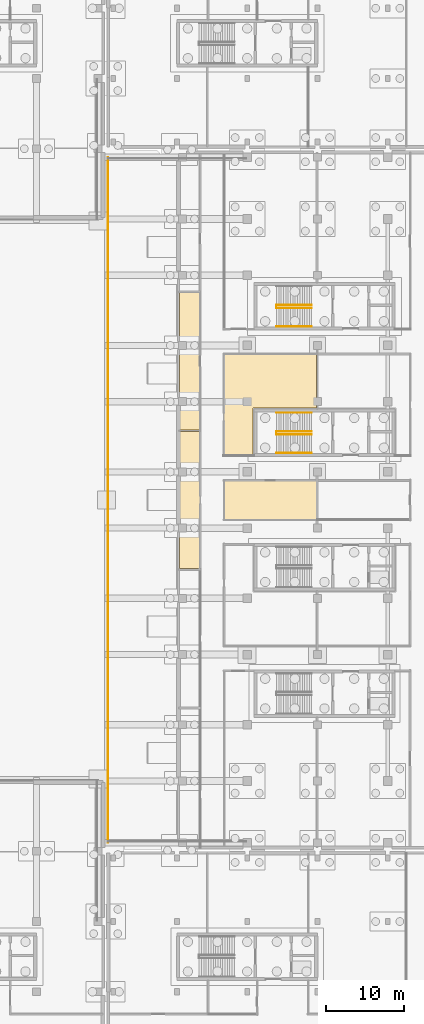
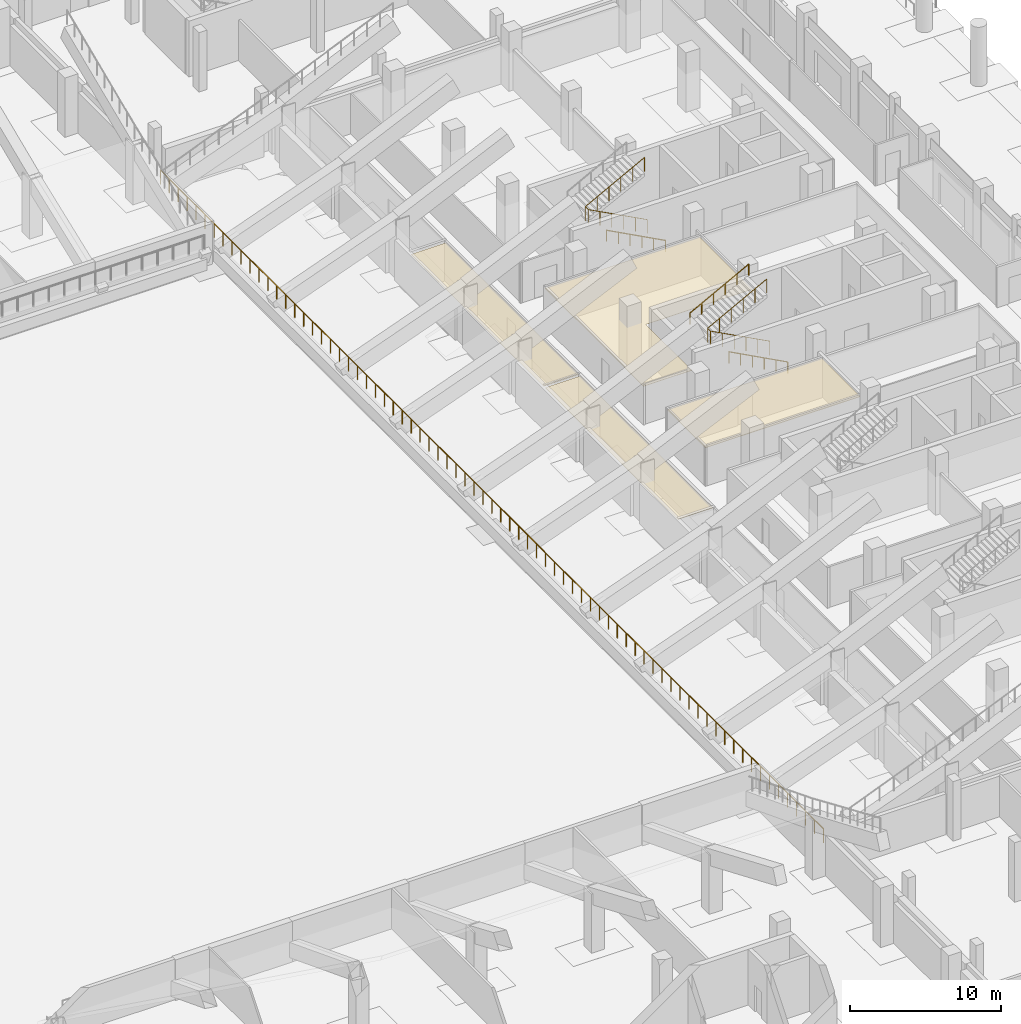
# One storey, part 49 of 53: 6 railings, 4 coverings.
"""IFC4 building model written with IfcOpenShell, lengths in metres."""

from ifc_helpers import new_model, si_unit, direction, frame, origin, origin_2d, place, context, subcontext, project, spatial, polyline, circle, outline, extrude, material, layer, layer_set, type_object, element, save


model = new_model("IFC4")

# Units and contexts
model_context = context("Model", 3, precision=1e-05, world=origin(), true_north=direction((0.0, 1.0)))
body_context = subcontext(model_context, "Body", "Model", "MODEL_VIEW")
ifc_project = project(units=[si_unit("LENGTHUNIT", "METRE"), si_unit("AREAUNIT", "SQUARE_METRE"), si_unit("VOLUMEUNIT", "CUBIC_METRE"), si_unit("PLANEANGLEUNIT", "RADIAN"), si_unit("MASSUNIT", "GRAM", prefix="KILO"), si_unit("THERMODYNAMICTEMPERATUREUNIT", "KELVIN"), si_unit("POWERUNIT", "WATT")], contexts=[model_context])

# Site, building, storey
site_placement = place(None, origin())
site = spatial("IfcSite", under=ifc_project, at=site_placement, CompositionType="ELEMENT")
building_placement = place(site_placement, origin())
building = spatial("IfcBuilding", under=site, at=building_placement, Name="Sindhuravela Promenade Stadium", CompositionType="ELEMENT")
storey_placement = place(building_placement, origin())
storey = spatial("IfcBuildingStorey", under=building, at=storey_placement, Name="L00", CompositionType="ELEMENT", Elevation=0.0)

# Coverings
ifc_material_1 = material(Name="Acoustic mineral-fibre ceiling tile", Category="gypsum")
ifc_layer_1 = layer(ifc_material_1, 0.02490234375)
ifc_layer_set_1 = layer_set([ifc_layer_1], Name="Acoustic mineral-fibre ceiling tile")
covering_type_1 = type_object("IfcCoveringType", Name="CV-CEIL-1", PredefinedType="CEILING", material=ifc_layer_set_1)
covering_1_placement = place(storey_placement, frame((0.0, 0.0, 3.050048828125)))
element("IfcCovering", 1, at=covering_1_placement, inside=storey, type_object=covering_type_1, Name="Acoustic ceiling Catering Receiving Kitchen", PredefinedType="CEILING", context=body_context, shape_type="SweptSolid", body=[
    extrude(outline(polyline([(177.0400390625, 86.669921875), (177.0380859375, 86.670166015625), (177.0361328125, 86.67041015625), (177.0341796875, 86.6708984375), (177.0322265625, 86.67138671875), (177.030517578125, 86.67236328125), (177.02880859375, 86.67333984375), (177.02734375, 86.674560546875), (177.02587890625, 86.67578125), (177.0244140625, 86.67724609375), (177.0234375, 86.678955078125), (177.0224609375, 86.6806640625), (177.021484375, 86.682373046875), (177.02099609375, 86.68408203125), (177.0205078125, 86.68603515625), (177.02001953125, 86.68798828125), (177.02001953125, 86.68994140625), (177.02001953125, 99.7099609375), (177.02001953125, 99.7119140625), (177.0205078125, 99.7138671875), (177.02099609375, 99.7158203125), (177.021484375, 99.7177734375), (177.0224609375, 99.719482421875), (177.0234375, 99.72119140625), (177.0244140625, 99.72265625), (177.02587890625, 99.72412109375), (177.02734375, 99.7255859375), (177.02880859375, 99.7265625), (177.030517578125, 99.7275390625), (177.0322265625, 99.728515625), (177.0341796875, 99.72900390625), (177.0361328125, 99.7294921875), (177.0380859375, 99.72998046875), (177.0400390625, 99.72998046875), (188.830078125, 99.72998046875), (188.83203125, 99.72998046875), (188.833984375, 99.7294921875), (188.835693359375, 99.72900390625), (188.837646484375, 99.728515625), (188.83935546875, 99.7275390625), (188.841064453125, 99.7265625), (188.8427734375, 99.7255859375), (188.843994140625, 99.72412109375), (188.845458984375, 99.72265625), (188.8466796875, 99.72119140625), (188.84765625, 99.719482421875), (188.848388671875, 99.7177734375), (188.84912109375, 99.7158203125), (188.849609375, 99.7138671875), (188.849853515625, 99.7119140625), (188.85009765625, 99.7099609375), (188.85009765625, 92.800048828125), (188.849853515625, 92.798095703125), (188.849609375, 92.796142578125), (188.84912109375, 92.794189453125), (188.848388671875, 92.792236328125), (188.84765625, 92.79052734375), (188.8466796875, 92.788818359375), (188.845458984375, 92.787353515625), (188.843994140625, 92.785888671875), (188.8427734375, 92.784423828125), (188.841064453125, 92.783447265625), (188.83935546875, 92.782470703125), (188.837646484375, 92.781494140625), (188.835693359375, 92.781005859375), (188.833984375, 92.780517578125), (188.83203125, 92.780029296875), (188.830078125, 92.780029296875), (180.719970703125, 92.780029296875), (180.719970703125, 86.68994140625), (180.719970703125, 86.68798828125), (180.719482421875, 86.68603515625), (180.718994140625, 86.68408203125), (180.718505859375, 86.682373046875), (180.717529296875, 86.6806640625), (180.716552734375, 86.678955078125), (180.715576171875, 86.67724609375), (180.714111328125, 86.67578125), (180.712646484375, 86.674560546875), (180.711181640625, 86.67333984375), (180.70947265625, 86.67236328125), (180.707763671875, 86.67138671875), (180.705810546875, 86.6708984375), (180.703857421875, 86.67041015625), (180.701904296875, 86.670166015625), (180.699951171875, 86.669921875), (177.0400390625, 86.669921875)])), origin(), (0.0, 0.0, 1.0), 0.02490234375),
])
covering_2_placement = place(storey_placement, frame((0.0, 0.0, 3.050048828125)))
element("IfcCovering", 2, at=covering_2_placement, inside=storey, type_object=covering_type_1, Name="Acoustic ceiling Catering Receiving Kitchen 6", PredefinedType="CEILING", context=body_context, shape_type="SweptSolid", body=[
    extrude(outline(polyline([(173.97998046875, 90.006103515625), (173.97998046875, 90.00390625), (173.9794921875, 90.002197265625), (173.97900390625, 90.000244140625), (173.978515625, 89.998291015625), (173.9775390625, 89.99658203125), (173.9765625, 89.994873046875), (173.9755859375, 89.993408203125), (173.97412109375, 89.991943359375), (173.97265625, 89.990478515625), (173.97119140625, 89.989501953125), (173.969482421875, 89.98828125), (173.9677734375, 89.987548828125), (173.9658203125, 89.98681640625), (173.9638671875, 89.986328125), (173.9619140625, 89.986083984375), (173.9599609375, 89.986083984375), (171.320068359375, 89.986083984375), (171.318115234375, 89.986083984375), (171.316162109375, 89.986328125), (171.314208984375, 89.98681640625), (171.312255859375, 89.987548828125), (171.310546875, 89.98828125), (171.308837890625, 89.989501953125), (171.307373046875, 89.990478515625), (171.305908203125, 89.991943359375), (171.304443359375, 89.993408203125), (171.303466796875, 89.994873046875), (171.302490234375, 89.99658203125), (171.301513671875, 89.998291015625), (171.30078125, 90.000244140625), (171.30029296875, 90.002197265625), (171.300048828125, 90.00390625), (171.300048828125, 90.006103515625), (171.300048828125, 107.5380859375), (171.300048828125, 107.5400390625), (171.30029296875, 107.5419921875), (171.30078125, 107.543701171875), (171.301513671875, 107.545654296875), (171.302490234375, 107.54736328125), (171.303466796875, 107.549072265625), (171.304443359375, 107.55078125), (171.305908203125, 107.552001953125), (171.307373046875, 107.553466796875), (171.308837890625, 107.5546875), (171.310546875, 107.5556640625), (171.312255859375, 107.556396484375), (171.314208984375, 107.55712890625), (171.316162109375, 107.5576171875), (171.318115234375, 107.557861328125), (171.320068359375, 107.55810546875), (173.9599609375, 107.55810546875), (173.9619140625, 107.557861328125), (173.9638671875, 107.5576171875), (173.9658203125, 107.55712890625), (173.9677734375, 107.556396484375), (173.969482421875, 107.5556640625), (173.97119140625, 107.5546875), (173.97265625, 107.553466796875), (173.97412109375, 107.552001953125), (173.9755859375, 107.55078125), (173.9765625, 107.549072265625), (173.9775390625, 107.54736328125), (173.978515625, 107.545654296875), (173.97900390625, 107.543701171875), (173.9794921875, 107.5419921875), (173.97998046875, 107.5400390625), (173.97998046875, 107.5380859375), (173.97998046875, 90.006103515625)])), origin(), (0.0, 0.0, 1.0), 0.02490234375),
])
covering_3_placement = place(storey_placement, frame((0.0, 0.0, 3.050048828125)))
element("IfcCovering", 3, at=covering_3_placement, inside=storey, type_object=covering_type_1, Name="Acoustic ceiling Accessible WC East L00 8", PredefinedType="CEILING", context=body_context, shape_type="SweptSolid", body=[
    extrude(outline(polyline([(173.97998046875, 72.23388671875), (173.97998046875, 72.23193359375), (173.9794921875, 72.22998046875), (173.97900390625, 72.228271484375), (173.978515625, 72.226318359375), (173.9775390625, 72.224609375), (173.9765625, 72.222900390625), (173.9755859375, 72.22119140625), (173.97412109375, 72.219970703125), (173.97265625, 72.218505859375), (173.97119140625, 72.21728515625), (173.969482421875, 72.21630859375), (173.9677734375, 72.215576171875), (173.9658203125, 72.21484375), (173.9638671875, 72.21435546875), (173.9619140625, 72.214111328125), (173.9599609375, 72.214111328125), (171.320068359375, 72.214111328125), (171.318115234375, 72.214111328125), (171.316162109375, 72.21435546875), (171.314208984375, 72.21484375), (171.312255859375, 72.215576171875), (171.310546875, 72.21630859375), (171.308837890625, 72.21728515625), (171.307373046875, 72.218505859375), (171.305908203125, 72.219970703125), (171.304443359375, 72.22119140625), (171.303466796875, 72.222900390625), (171.302490234375, 72.224609375), (171.301513671875, 72.226318359375), (171.30078125, 72.228271484375), (171.30029296875, 72.22998046875), (171.300048828125, 72.23193359375), (171.300048828125, 72.23388671875), (171.300048828125, 89.76611328125), (171.300048828125, 89.76806640625), (171.30029296875, 89.77001953125), (171.30078125, 89.771728515625), (171.301513671875, 89.773681640625), (171.302490234375, 89.775390625), (171.303466796875, 89.777099609375), (171.304443359375, 89.77880859375), (171.305908203125, 89.780029296875), (171.307373046875, 89.781494140625), (171.308837890625, 89.78271484375), (171.310546875, 89.78369140625), (171.312255859375, 89.784423828125), (171.314208984375, 89.78515625), (171.316162109375, 89.78564453125), (171.318115234375, 89.785888671875), (171.320068359375, 89.785888671875), (173.9599609375, 89.785888671875), (173.9619140625, 89.785888671875), (173.9638671875, 89.78564453125), (173.9658203125, 89.78515625), (173.9677734375, 89.784423828125), (173.969482421875, 89.78369140625), (173.97119140625, 89.78271484375), (173.97265625, 89.781494140625), (173.97412109375, 89.780029296875), (173.9755859375, 89.77880859375), (173.9765625, 89.777099609375), (173.9775390625, 89.775390625), (173.978515625, 89.773681640625), (173.97900390625, 89.771728515625), (173.9794921875, 89.77001953125), (173.97998046875, 89.76806640625), (173.97998046875, 89.76611328125), (173.97998046875, 72.23388671875)])), origin(), (0.0, 0.0, 1.0), 0.02490234375),
])
ifc_layer_2 = layer(ifc_material_1, 0.044921875)
ifc_layer_set_2 = layer_set([ifc_layer_2], Name="Acoustic mineral-fibre ceiling tile")
covering_type_2 = type_object("IfcCoveringType", Name="CV-CEIL-2", PredefinedType="CEILING", material=ifc_layer_set_2)
covering_4_placement = place(storey_placement, frame((0.0, 0.0, 3.050048828125)))
element("IfcCovering", 4, at=covering_4_placement, inside=storey, type_object=covering_type_2, Name="Acoustic ceiling Park Promenade Cafe 3", PredefinedType="CEILING", context=body_context, shape_type="SweptSolid", body=[
    extrude(outline(polyline([(177.02001953125, 83.510009765625), (177.02001953125, 83.511962890625), (177.0205078125, 83.513916015625), (177.02099609375, 83.515869140625), (177.021484375, 83.517578125), (177.0224609375, 83.519287109375), (177.0234375, 83.52099609375), (177.0244140625, 83.522705078125), (177.02587890625, 83.524169921875), (177.02734375, 83.525390625), (177.02880859375, 83.526611328125), (177.030517578125, 83.527587890625), (177.0322265625, 83.528564453125), (177.0341796875, 83.529052734375), (177.0361328125, 83.529541015625), (177.0380859375, 83.52978515625), (177.0400390625, 83.530029296875), (188.830078125, 83.530029296875), (188.83203125, 83.52978515625), (188.833984375, 83.529541015625), (188.835693359375, 83.529052734375), (188.837646484375, 83.528564453125), (188.83935546875, 83.527587890625), (188.841064453125, 83.526611328125), (188.8427734375, 83.525390625), (188.843994140625, 83.524169921875), (188.845458984375, 83.522705078125), (188.8466796875, 83.52099609375), (188.84765625, 83.519287109375), (188.848388671875, 83.517578125), (188.84912109375, 83.515869140625), (188.849609375, 83.513916015625), (188.849853515625, 83.511962890625), (188.85009765625, 83.510009765625), (188.85009765625, 78.489990234375), (188.849853515625, 78.488037109375), (188.849609375, 78.486083984375), (188.84912109375, 78.484130859375), (188.848388671875, 78.482421875), (188.84765625, 78.480712890625), (188.8466796875, 78.47900390625), (188.845458984375, 78.477294921875), (188.843994140625, 78.475830078125), (188.8427734375, 78.474609375), (188.841064453125, 78.473388671875), (188.83935546875, 78.472412109375), (188.837646484375, 78.471435546875), (188.835693359375, 78.470947265625), (188.833984375, 78.470458984375), (188.83203125, 78.47021484375), (188.830078125, 78.469970703125), (177.0400390625, 78.469970703125), (177.0380859375, 78.47021484375), (177.0361328125, 78.470458984375), (177.0341796875, 78.470947265625), (177.0322265625, 78.471435546875), (177.030517578125, 78.472412109375), (177.02880859375, 78.473388671875), (177.02734375, 78.474609375), (177.02587890625, 78.475830078125), (177.0244140625, 78.477294921875), (177.0234375, 78.47900390625), (177.0224609375, 78.480712890625), (177.021484375, 78.482421875), (177.02099609375, 78.484130859375), (177.0205078125, 78.486083984375), (177.02001953125, 78.488037109375), (177.02001953125, 78.489990234375), (177.02001953125, 83.510009765625)])), origin(), (0.0, 0.0, 1.0), 0.044921875),
])

# Railings
ifc_material_2 = material(Name="Architectural wrought steel E350", Category="steel")
railing_type_1 = type_object("IfcRailingType", Name="RL-GRD-1150", PredefinedType="GUARDRAIL", material=ifc_material_2)
railing_1_placement = place(storey_placement, frame((162.14990234375, 37.10009765625, 1.449951171875)))
element("IfcRailing", 5, at=railing_1_placement, inside=storey, type_object=railing_type_1, Name="Stand bowl crowd barrier GR01-93", PredefinedType="GUARDRAIL", context=body_context, shape_type="SweptSolid", body=[
    extrude(circle(Radius=0.02392578125, at=origin_2d()), frame((0.0, 0.0, 1.1259765625), z_axis=(0.0, 1.0, 0.0), x_axis=(-1.0, 0.0, 0.0)), (0.0, 0.0, 1.0), 87.7998046875),
    extrude(circle(Radius=0.02099609375, at=origin_2d()), origin(), (0.0, 0.0, 1.0), 1.101806640625),
    extrude(circle(Radius=0.02099609375, at=origin_2d()), frame((0.0, 1.1865234375, 0.0)), (0.0, 0.0, 1.0), 1.101806640625),
    extrude(circle(Radius=0.02099609375, at=origin_2d()), frame((0.0, 2.373046875, 0.0)), (0.0, 0.0, 1.0), 1.101806640625),
    extrude(circle(Radius=0.02099609375, at=origin_2d()), frame((0.0, 3.5595703125, 0.0)), (0.0, 0.0, 1.0), 1.101806640625),
    extrude(circle(Radius=0.02099609375, at=origin_2d()), frame((0.0, 4.745849609375, 0.0)), (0.0, 0.0, 1.0), 1.101806640625),
    extrude(circle(Radius=0.02099609375, at=origin_2d()), frame((0.0, 5.932373046875, 0.0)), (0.0, 0.0, 1.0), 1.101806640625),
    extrude(circle(Radius=0.02099609375, at=origin_2d()), frame((0.0, 7.118896484375, 0.0)), (0.0, 0.0, 1.0), 1.101806640625),
    extrude(circle(Radius=0.02099609375, at=origin_2d()), frame((0.0, 8.305419921875, 0.0)), (0.0, 0.0, 1.0), 1.101806640625),
    extrude(circle(Radius=0.02099609375, at=origin_2d()), frame((0.0, 9.491943359375, 0.0)), (0.0, 0.0, 1.0), 1.101806640625),
    extrude(circle(Radius=0.02099609375, at=origin_2d()), frame((0.0, 10.678466796875, 0.0)), (0.0, 0.0, 1.0), 1.101806640625),
    extrude(circle(Radius=0.02099609375, at=origin_2d()), frame((0.0, 11.86474609375, 0.0)), (0.0, 0.0, 1.0), 1.101806640625),
    extrude(circle(Radius=0.02099609375, at=origin_2d()), frame((0.0, 13.05126953125, 0.0)), (0.0, 0.0, 1.0), 1.101806640625),
    extrude(circle(Radius=0.02099609375, at=origin_2d()), frame((0.0, 14.23779296875, 0.0)), (0.0, 0.0, 1.0), 1.101806640625),
    extrude(circle(Radius=0.02099609375, at=origin_2d()), frame((0.0, 15.42431640625, 0.0)), (0.0, 0.0, 1.0), 1.101806640625),
    extrude(circle(Radius=0.02099609375, at=origin_2d()), frame((0.0, 16.61083984375, 0.0)), (0.0, 0.0, 1.0), 1.101806640625),
    extrude(circle(Radius=0.02099609375, at=origin_2d()), frame((0.0, 17.79736328125, 0.0)), (0.0, 0.0, 1.0), 1.101806640625),
    extrude(circle(Radius=0.02099609375, at=origin_2d()), frame((0.0, 18.983642578125, 0.0)), (0.0, 0.0, 1.0), 1.101806640625),
    extrude(circle(Radius=0.02099609375, at=origin_2d()), frame((0.0, 20.170166015625, 0.0)), (0.0, 0.0, 1.0), 1.101806640625),
    extrude(circle(Radius=0.02099609375, at=origin_2d()), frame((0.0, 21.356689453125, 0.0)), (0.0, 0.0, 1.0), 1.101806640625),
    extrude(circle(Radius=0.02099609375, at=origin_2d()), frame((0.0, 22.543212890625, 0.0)), (0.0, 0.0, 1.0), 1.101806640625),
    extrude(circle(Radius=0.02099609375, at=origin_2d()), frame((0.0, 23.729736328125, 0.0)), (0.0, 0.0, 1.0), 1.101806640625),
    extrude(circle(Radius=0.02099609375, at=origin_2d()), frame((0.0, 24.916259765625, 0.0)), (0.0, 0.0, 1.0), 1.101806640625),
    extrude(circle(Radius=0.02099609375, at=origin_2d()), frame((0.0, 26.1025390625, 0.0)), (0.0, 0.0, 1.0), 1.101806640625),
    extrude(circle(Radius=0.02099609375, at=origin_2d()), frame((0.0, 27.2890625, 0.0)), (0.0, 0.0, 1.0), 1.101806640625),
    extrude(circle(Radius=0.02099609375, at=origin_2d()), frame((0.0, 28.4755859375, 0.0)), (0.0, 0.0, 1.0), 1.101806640625),
    extrude(circle(Radius=0.02099609375, at=origin_2d()), frame((0.0, 29.662109375, 0.0)), (0.0, 0.0, 1.0), 1.101806640625),
    extrude(circle(Radius=0.02099609375, at=origin_2d()), frame((0.0, 30.8486328125, 0.0)), (0.0, 0.0, 1.0), 1.101806640625),
    extrude(circle(Radius=0.02099609375, at=origin_2d()), frame((0.0, 32.03515625, 0.0)), (0.0, 0.0, 1.0), 1.101806640625),
    extrude(circle(Radius=0.02099609375, at=origin_2d()), frame((0.0, 33.221435546875, 0.0)), (0.0, 0.0, 1.0), 1.101806640625),
    extrude(circle(Radius=0.02099609375, at=origin_2d()), frame((0.0, 34.407958984375, 0.0)), (0.0, 0.0, 1.0), 1.101806640625),
    extrude(circle(Radius=0.02099609375, at=origin_2d()), frame((0.0, 35.594482421875, 0.0)), (0.0, 0.0, 1.0), 1.101806640625),
    extrude(circle(Radius=0.02099609375, at=origin_2d()), frame((0.0, 36.781005859375, 0.0)), (0.0, 0.0, 1.0), 1.101806640625),
    extrude(circle(Radius=0.02099609375, at=origin_2d()), frame((0.0, 37.967529296875, 0.0)), (0.0, 0.0, 1.0), 1.101806640625),
    extrude(circle(Radius=0.02099609375, at=origin_2d()), frame((0.0, 39.154052734375, 0.0)), (0.0, 0.0, 1.0), 1.101806640625),
    extrude(circle(Radius=0.02099609375, at=origin_2d()), frame((0.0, 40.34033203125, 0.0)), (0.0, 0.0, 1.0), 1.101806640625),
    extrude(circle(Radius=0.02099609375, at=origin_2d()), frame((0.0, 41.52685546875, 0.0)), (0.0, 0.0, 1.0), 1.101806640625),
    extrude(circle(Radius=0.02099609375, at=origin_2d()), frame((0.0, 42.71337890625, 0.0)), (0.0, 0.0, 1.0), 1.101806640625),
    extrude(circle(Radius=0.02099609375, at=origin_2d()), frame((0.0, 43.89990234375, 0.0)), (0.0, 0.0, 1.0), 1.101806640625),
    extrude(circle(Radius=0.02099609375, at=origin_2d()), frame((0.0, 45.08642578125, 0.0)), (0.0, 0.0, 1.0), 1.101806640625),
    extrude(circle(Radius=0.02099609375, at=origin_2d()), frame((0.0, 46.27294921875, 0.0)), (0.0, 0.0, 1.0), 1.101806640625),
    extrude(circle(Radius=0.02099609375, at=origin_2d()), frame((0.0, 47.45947265625, 0.0)), (0.0, 0.0, 1.0), 1.101806640625),
    extrude(circle(Radius=0.02099609375, at=origin_2d()), frame((0.0, 48.645751953125, 0.0)), (0.0, 0.0, 1.0), 1.101806640625),
    extrude(circle(Radius=0.02099609375, at=origin_2d()), frame((0.0, 49.832275390625, 0.0)), (0.0, 0.0, 1.0), 1.101806640625),
    extrude(circle(Radius=0.02099609375, at=origin_2d()), frame((0.0, 51.018798828125, 0.0)), (0.0, 0.0, 1.0), 1.101806640625),
    extrude(circle(Radius=0.02099609375, at=origin_2d()), frame((0.0, 52.205322265625, 0.0)), (0.0, 0.0, 1.0), 1.101806640625),
    extrude(circle(Radius=0.02099609375, at=origin_2d()), frame((0.0, 53.391845703125, 0.0)), (0.0, 0.0, 1.0), 1.101806640625),
    extrude(circle(Radius=0.02099609375, at=origin_2d()), frame((0.0, 54.578369140625, 0.0)), (0.0, 0.0, 1.0), 1.101806640625),
    extrude(circle(Radius=0.02099609375, at=origin_2d()), frame((0.0, 55.7646484375, 0.0)), (0.0, 0.0, 1.0), 1.101806640625),
    extrude(circle(Radius=0.02099609375, at=origin_2d()), frame((0.0, 56.951171875, 0.0)), (0.0, 0.0, 1.0), 1.101806640625),
    extrude(circle(Radius=0.02099609375, at=origin_2d()), frame((0.0, 58.1376953125, 0.0)), (0.0, 0.0, 1.0), 1.101806640625),
    extrude(circle(Radius=0.02099609375, at=origin_2d()), frame((0.0, 59.32421875, 0.0)), (0.0, 0.0, 1.0), 1.101806640625),
    extrude(circle(Radius=0.02099609375, at=origin_2d()), frame((0.0, 60.5107421875, 0.0)), (0.0, 0.0, 1.0), 1.101806640625),
    extrude(circle(Radius=0.02099609375, at=origin_2d()), frame((0.0, 61.697265625, 0.0)), (0.0, 0.0, 1.0), 1.101806640625),
    extrude(circle(Radius=0.02099609375, at=origin_2d()), frame((0.0, 62.883544921875, 0.0)), (0.0, 0.0, 1.0), 1.101806640625),
    extrude(circle(Radius=0.02099609375, at=origin_2d()), frame((0.0, 64.070068359375, 0.0)), (0.0, 0.0, 1.0), 1.101806640625),
    extrude(circle(Radius=0.02099609375, at=origin_2d()), frame((0.0, 65.256591796875, 0.0)), (0.0, 0.0, 1.0), 1.101806640625),
    extrude(circle(Radius=0.02099609375, at=origin_2d()), frame((0.0, 66.443115234375, 0.0)), (0.0, 0.0, 1.0), 1.101806640625),
    extrude(circle(Radius=0.02099609375, at=origin_2d()), frame((0.0, 67.629638671875, 0.0)), (0.0, 0.0, 1.0), 1.101806640625),
    extrude(circle(Radius=0.02099609375, at=origin_2d()), frame((0.0, 68.816162109375, 0.0)), (0.0, 0.0, 1.0), 1.101806640625),
    extrude(circle(Radius=0.02099609375, at=origin_2d()), frame((0.0, 70.00244140625, 0.0)), (0.0, 0.0, 1.0), 1.101806640625),
    extrude(circle(Radius=0.02099609375, at=origin_2d()), frame((0.0, 71.18896484375, 0.0)), (0.0, 0.0, 1.0), 1.101806640625),
    extrude(circle(Radius=0.02099609375, at=origin_2d()), frame((0.0, 72.37548828125, 0.0)), (0.0, 0.0, 1.0), 1.101806640625),
    extrude(circle(Radius=0.02099609375, at=origin_2d()), frame((0.0, 73.56201171875, 0.0)), (0.0, 0.0, 1.0), 1.101806640625),
    extrude(circle(Radius=0.02099609375, at=origin_2d()), frame((0.0, 74.74853515625, 0.0)), (0.0, 0.0, 1.0), 1.101806640625),
    extrude(circle(Radius=0.02099609375, at=origin_2d()), frame((0.0, 75.93505859375, 0.0)), (0.0, 0.0, 1.0), 1.101806640625),
    extrude(circle(Radius=0.02099609375, at=origin_2d()), frame((0.0, 77.121337890625, 0.0)), (0.0, 0.0, 1.0), 1.101806640625),
    extrude(circle(Radius=0.02099609375, at=origin_2d()), frame((0.0, 78.307861328125, 0.0)), (0.0, 0.0, 1.0), 1.101806640625),
    extrude(circle(Radius=0.02099609375, at=origin_2d()), frame((0.0, 79.494384765625, 0.0)), (0.0, 0.0, 1.0), 1.101806640625),
    extrude(circle(Radius=0.02099609375, at=origin_2d()), frame((0.0, 80.680908203125, 0.0)), (0.0, 0.0, 1.0), 1.101806640625),
    extrude(circle(Radius=0.02099609375, at=origin_2d()), frame((0.0, 81.867431640625, 0.0)), (0.0, 0.0, 1.0), 1.101806640625),
    extrude(circle(Radius=0.02099609375, at=origin_2d()), frame((0.0, 83.053955078125, 0.0)), (0.0, 0.0, 1.0), 1.101806640625),
    extrude(circle(Radius=0.02099609375, at=origin_2d()), frame((0.0, 84.240234375, 0.0)), (0.0, 0.0, 1.0), 1.101806640625),
    extrude(circle(Radius=0.02099609375, at=origin_2d()), frame((0.0, 85.4267578125, 0.0)), (0.0, 0.0, 1.0), 1.101806640625),
    extrude(circle(Radius=0.02099609375, at=origin_2d()), frame((0.0, 86.61328125, 0.0)), (0.0, 0.0, 1.0), 1.101806640625),
    extrude(circle(Radius=0.02099609375, at=origin_2d()), frame((0.0, 87.7998046875, 0.0)), (0.0, 0.0, 1.0), 1.101806640625),
])
railing_2_placement = place(storey_placement, frame((188.25, 89.409912109375, 0.0)))
element("IfcRailing", 6, at=railing_2_placement, inside=storey, type_object=railing_type_1, Name="Stair ST07 inner well guard (L00)", PredefinedType="GUARDRAIL", context=body_context, shape_type="SweptSolid", body=[
    extrude(circle(Radius=0.02392578125, at=origin_2d()), frame((0.0, 0.0, 1.1259765625), z_axis=(-0.8836546633431795, 0.0, 0.46813933390802775), x_axis=(0.0, -1.0, 0.0)), (0.0, 0.0, 1.0), 5.12646484375),
    extrude(circle(Radius=0.02392578125, at=origin_2d()), frame((-4.530029296875, 0.0, 3.52587890625), z_axis=(0.0, 1.0, 0.0), x_axis=(-1.0, 0.0, 0.0)), (0.0, 0.0, 1.0), 0.380126953125),
    extrude(circle(Radius=0.02392578125, at=origin_2d()), frame((-4.530029296875, 0.380126953125, 3.52587890625), z_axis=(0.8836349624059475, 0.0, 0.46817651928929505), x_axis=(0.0, 1.0, 0.0)), (0.0, 0.0, 1.0), 5.12646484375),
    extrude(circle(Radius=0.02099609375, at=origin_2d()), origin(), (0.0, 0.0, 1.0), 1.101806640625),
    extrude(circle(Radius=0.02099609375, at=origin_2d()), frame((-0.906005859375, 0.0, 0.47998046875)), (0.0, 0.0, 1.0), 1.101806640625),
    extrude(circle(Radius=0.02099609375, at=origin_2d()), frame((-1.81201171875, 0.0, 0.9599609375)), (0.0, 0.0, 1.0), 1.101806640625),
    extrude(circle(Radius=0.02099609375, at=origin_2d()), frame((-2.718017578125, 0.0, 1.43994140625)), (0.0, 0.0, 1.0), 1.101806640625),
    extrude(circle(Radius=0.02099609375, at=origin_2d()), frame((-3.6240234375, 0.0, 1.919921875)), (0.0, 0.0, 1.0), 1.101806640625),
    extrude(circle(Radius=0.02099609375, at=origin_2d()), frame((-4.530029296875, 0.0, 2.39990234375)), (0.0, 0.0, 1.0), 1.101806640625),
    extrude(circle(Radius=0.02099609375, at=origin_2d()), frame((-4.530029296875, 0.380126953125, 2.39990234375)), (0.0, 0.0, 1.0), 1.101806640625),
    extrude(circle(Radius=0.02099609375, at=origin_2d()), frame((-3.6240234375, 0.380126953125, 2.8798828125)), (0.0, 0.0, 1.0), 1.101806640625),
    extrude(circle(Radius=0.02099609375, at=origin_2d()), frame((-2.718017578125, 0.380126953125, 3.35986328125)), (0.0, 0.0, 1.0), 1.101806640625),
    extrude(circle(Radius=0.02099609375, at=origin_2d()), frame((-1.81201171875, 0.380126953125, 3.840087890625)), (0.0, 0.0, 1.0), 1.101806640625),
    extrude(circle(Radius=0.02099609375, at=origin_2d()), frame((-0.906005859375, 0.380126953125, 4.320068359375)), (0.0, 0.0, 1.0), 1.101806640625),
    extrude(circle(Radius=0.02099609375, at=origin_2d()), frame((0.0, 0.380126953125, 4.800048828125)), (0.0, 0.0, 1.0), 1.101806640625),
])
railing_3_placement = place(storey_placement, frame((188.25, 105.610107421875, 0.0)))
element("IfcRailing", 7, at=railing_3_placement, inside=storey, type_object=railing_type_1, Name="Stair ST08 inner well guard (L00)", PredefinedType="GUARDRAIL", context=body_context, shape_type="SweptSolid", body=[
    extrude(circle(Radius=0.02392578125, at=origin_2d()), frame((0.0, 0.0, 1.1259765625), z_axis=(-0.8836546633431795, 0.0, 0.46813933390802775), x_axis=(0.0, -1.0, 0.0)), (0.0, 0.0, 1.0), 5.12646484375),
    extrude(circle(Radius=0.02392578125, at=origin_2d()), frame((-4.530029296875, 0.0, 3.52587890625), z_axis=(0.0, 1.0, 0.0), x_axis=(-1.0, 0.0, 0.0)), (0.0, 0.0, 1.0), 0.3798828125),
    extrude(circle(Radius=0.02392578125, at=origin_2d()), frame((-4.530029296875, 0.3798828125, 3.52587890625), z_axis=(0.8836349624059475, 0.0, 0.46817651928929505), x_axis=(0.0, 1.0, 0.0)), (0.0, 0.0, 1.0), 5.12646484375),
    extrude(circle(Radius=0.02099609375, at=origin_2d()), origin(), (0.0, 0.0, 1.0), 1.101806640625),
    extrude(circle(Radius=0.02099609375, at=origin_2d()), frame((-0.906005859375, 0.0, 0.47998046875)), (0.0, 0.0, 1.0), 1.101806640625),
    extrude(circle(Radius=0.02099609375, at=origin_2d()), frame((-1.81201171875, 0.0, 0.9599609375)), (0.0, 0.0, 1.0), 1.101806640625),
    extrude(circle(Radius=0.02099609375, at=origin_2d()), frame((-2.718017578125, 0.0, 1.43994140625)), (0.0, 0.0, 1.0), 1.101806640625),
    extrude(circle(Radius=0.02099609375, at=origin_2d()), frame((-3.6240234375, 0.0, 1.919921875)), (0.0, 0.0, 1.0), 1.101806640625),
    extrude(circle(Radius=0.02099609375, at=origin_2d()), frame((-4.530029296875, 0.0, 2.39990234375)), (0.0, 0.0, 1.0), 1.101806640625),
    extrude(circle(Radius=0.02099609375, at=origin_2d()), frame((-4.530029296875, 0.3798828125, 2.39990234375)), (0.0, 0.0, 1.0), 1.101806640625),
    extrude(circle(Radius=0.02099609375, at=origin_2d()), frame((-3.6240234375, 0.3798828125, 2.8798828125)), (0.0, 0.0, 1.0), 1.101806640625),
    extrude(circle(Radius=0.02099609375, at=origin_2d()), frame((-2.718017578125, 0.3798828125, 3.35986328125)), (0.0, 0.0, 1.0), 1.101806640625),
    extrude(circle(Radius=0.02099609375, at=origin_2d()), frame((-1.81201171875, 0.3798828125, 3.840087890625)), (0.0, 0.0, 1.0), 1.101806640625),
    extrude(circle(Radius=0.02099609375, at=origin_2d()), frame((-0.906005859375, 0.3798828125, 4.320068359375)), (0.0, 0.0, 1.0), 1.101806640625),
    extrude(circle(Radius=0.02099609375, at=origin_2d()), frame((0.0, 0.3798828125, 4.800048828125)), (0.0, 0.0, 1.0), 1.101806640625),
])
railing_type_2 = type_object("IfcRailingType", Name="RL-HND-920", PredefinedType="HANDRAIL", material=ifc_material_2)
railing_4_placement = place(storey_placement, frame((188.25, 87.02001953125, 0.0)))
element("IfcRailing", 8, at=railing_4_placement, inside=storey, type_object=railing_type_2, Name="Stair ST07 lower wall handrail (L00)", PredefinedType="HANDRAIL", context=body_context, shape_type="SweptSolid", body=[
    extrude(circle(Radius=0.02392578125, at=origin_2d()), frame((0.0, 0.0, 0.89599609375), z_axis=(-0.8823608919668723, 0.0, 0.4705733272588083), x_axis=(0.0, -1.0, 0.0)), (0.0, 0.0, 1.0), 5.099853515625),
    extrude(circle(Radius=0.02099609375, at=origin_2d()), origin(), (0.0, 0.0, 1.0), 0.871826171875),
    extrude(circle(Radius=0.02099609375, at=origin_2d()), frame((-0.89990234375, 0.0, 0.47998046875)), (0.0, 0.0, 1.0), 0.871826171875),
    extrude(circle(Radius=0.02099609375, at=origin_2d()), frame((-1.800048828125, 0.0, 0.9599609375)), (0.0, 0.0, 1.0), 0.871826171875),
    extrude(circle(Radius=0.02099609375, at=origin_2d()), frame((-2.699951171875, 0.0, 1.43994140625)), (0.0, 0.0, 1.0), 0.871826171875),
    extrude(circle(Radius=0.02099609375, at=origin_2d()), frame((-3.60009765625, 0.0, 1.919921875)), (0.0, 0.0, 1.0), 0.871826171875),
    extrude(circle(Radius=0.02099609375, at=origin_2d()), frame((-4.5, 0.0, 2.39990234375)), (0.0, 0.0, 1.0), 0.871826171875),
])
railing_5_placement = place(storey_placement, frame((183.75, 92.179931640625, 2.39990234375)))
element("IfcRailing", 9, at=railing_5_placement, inside=storey, type_object=railing_type_2, Name="Stair ST07 upper wall handrail (L00)", PredefinedType="HANDRAIL", context=body_context, shape_type="SweptSolid", body=[
    extrude(circle(Radius=0.02392578125, at=origin_2d()), frame((0.0, 0.0, 0.89599609375), z_axis=(0.8823410147872734, 0.0, 0.47061059659145427), x_axis=(0.0, 1.0, 0.0)), (0.0, 0.0, 1.0), 5.10009765625),
    extrude(circle(Radius=0.02099609375, at=origin_2d()), origin(), (0.0, 0.0, 1.0), 0.871826171875),
    extrude(circle(Radius=0.02099609375, at=origin_2d()), frame((0.89990234375, 0.0, 0.47998046875)), (0.0, 0.0, 1.0), 0.871826171875),
    extrude(circle(Radius=0.02099609375, at=origin_2d()), frame((1.800048828125, 0.0, 0.9599609375)), (0.0, 0.0, 1.0), 0.871826171875),
    extrude(circle(Radius=0.02099609375, at=origin_2d()), frame((2.699951171875, 0.0, 1.440185546875)), (0.0, 0.0, 1.0), 0.871826171875),
    extrude(circle(Radius=0.02099609375, at=origin_2d()), frame((3.60009765625, 0.0, 1.920166015625)), (0.0, 0.0, 1.0), 0.871826171875),
    extrude(circle(Radius=0.02099609375, at=origin_2d()), frame((4.5, 0.0, 2.400146484375)), (0.0, 0.0, 1.0), 0.871826171875),
])
railing_6_placement = place(storey_placement, frame((188.25, 103.219970703125, 0.0)))
element("IfcRailing", 10, at=railing_6_placement, inside=storey, type_object=railing_type_2, Name="Stair ST08 lower wall handrail (L00)", PredefinedType="HANDRAIL", context=body_context, shape_type="SweptSolid", body=[
    extrude(circle(Radius=0.02392578125, at=origin_2d()), frame((0.0, 0.0, 0.89599609375), z_axis=(-0.8823608919668723, 0.0, 0.4705733272588083), x_axis=(0.0, -1.0, 0.0)), (0.0, 0.0, 1.0), 5.099853515625),
    extrude(circle(Radius=0.02099609375, at=origin_2d()), origin(), (0.0, 0.0, 1.0), 0.871826171875),
    extrude(circle(Radius=0.02099609375, at=origin_2d()), frame((-0.89990234375, 0.0, 0.47998046875)), (0.0, 0.0, 1.0), 0.871826171875),
    extrude(circle(Radius=0.02099609375, at=origin_2d()), frame((-1.800048828125, 0.0, 0.9599609375)), (0.0, 0.0, 1.0), 0.871826171875),
    extrude(circle(Radius=0.02099609375, at=origin_2d()), frame((-2.699951171875, 0.0, 1.43994140625)), (0.0, 0.0, 1.0), 0.871826171875),
    extrude(circle(Radius=0.02099609375, at=origin_2d()), frame((-3.60009765625, 0.0, 1.919921875)), (0.0, 0.0, 1.0), 0.871826171875),
    extrude(circle(Radius=0.02099609375, at=origin_2d()), frame((-4.5, 0.0, 2.39990234375)), (0.0, 0.0, 1.0), 0.871826171875),
])

save(model, "model.ifc")
